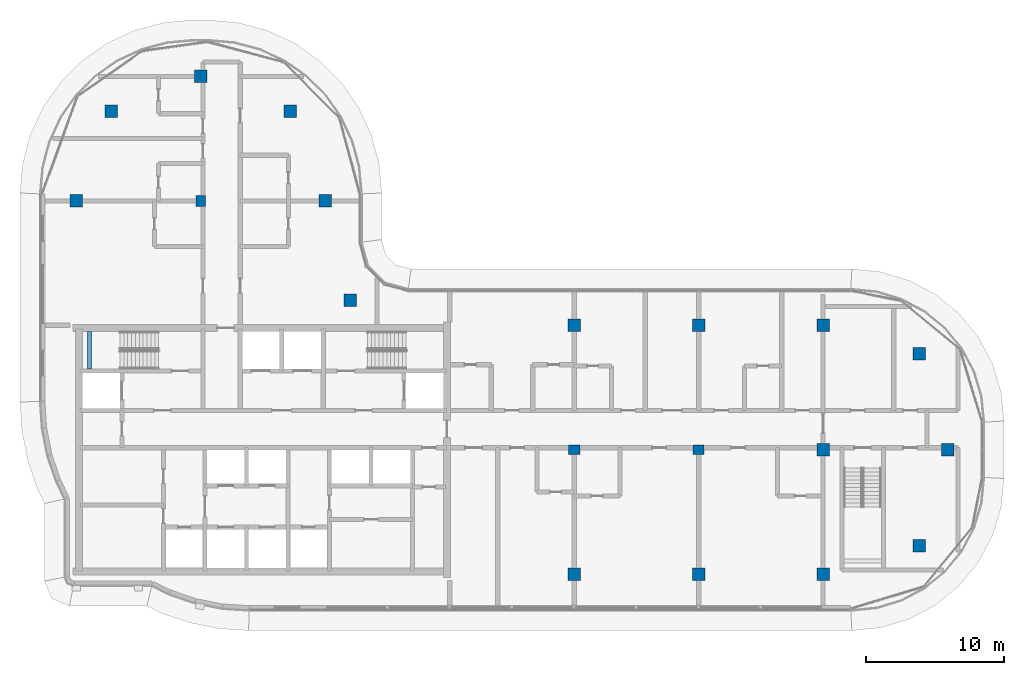
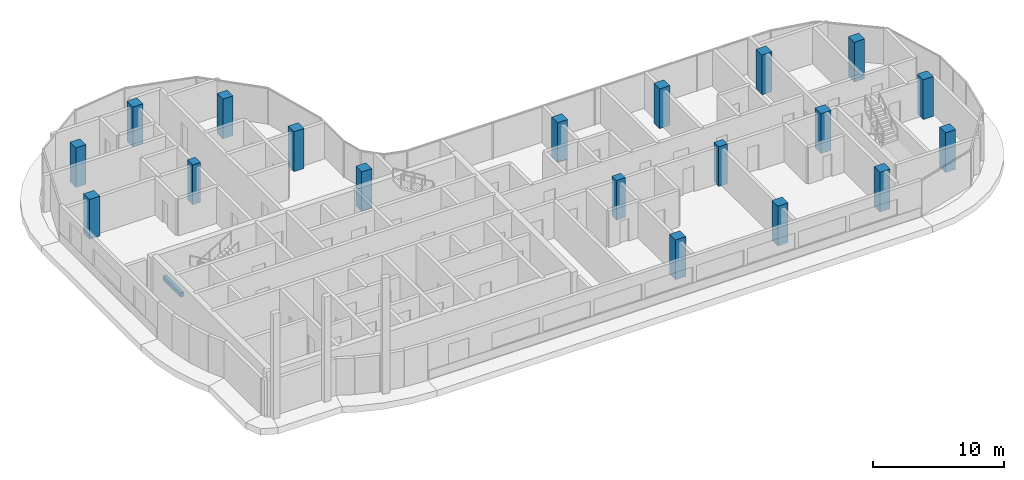
# One storey, part 1 of 20: 19 columns, 1 beam.
"""IFC4 building model written with IfcOpenShell, lengths in metres."""

from ifc_helpers import new_model, si_unit, direction, frame, origin, origin_2d, place, context, subcontext, project, spatial, rectangle, extrude, material, material_profile, profile_set, type_object, element, save


model = new_model("IFC4")

# Units and contexts
model_context = context("Model", 3, precision=1e-05, world=origin(), true_north=direction((0.0, 1.0)))
body_context = subcontext(model_context, "Body", "Model", "MODEL_VIEW")
ifc_project = project(units=[si_unit("LENGTHUNIT", "METRE"), si_unit("AREAUNIT", "SQUARE_METRE"), si_unit("VOLUMEUNIT", "CUBIC_METRE"), si_unit("PLANEANGLEUNIT", "RADIAN"), si_unit("MASSUNIT", "GRAM", prefix="KILO")], contexts=[model_context])

# Site, building, storey
site_placement = place(None, origin())
site = spatial("IfcSite", under=ifc_project, at=site_placement, CompositionType="ELEMENT")
building_placement = place(site_placement, origin())
building = spatial("IfcBuilding", under=site, at=building_placement, Name="Ogive Portal Towers", CompositionType="ELEMENT")
storey_placement = place(building_placement, frame((0.0, 0.0, 232.800048828125)))
storey = spatial("IfcBuildingStorey", under=building, at=storey_placement, Name="L58", CompositionType="ELEMENT", Elevation=232.800048828125)

# Columns
ifc_material_1 = material(Name="Concrete C60/75", Category="concrete")
ifc_material_profile_1 = material_profile(ifc_material_1, rectangle(XDim=0.800048828125, YDim=0.699951171875, at=origin_2d()), Name="RC 800x700")
ifc_profile_set_1 = profile_set([ifc_material_profile_1], Name="Concrete C60/75")
column_type_1 = type_object("IfcColumnType", Name="COLUMN RC 800x700", PredefinedType="COLUMN", material=ifc_profile_set_1)
for number, where, z_axis, x_axis, name in (
    (1, (67.5, 30.5, 0.0), (0.0, 0.0, 1.0), (1.0, 0.0, 0.0), "Column 5/B L58"),
    (2, (76.5, 30.5, 0.0), (0.0, 0.0, 1.0), (1.0, 0.0, 0.0), "Column 6/B L58"),
    (3, (40.5, 48.5, 0.0), (0.0, 0.0, 1.0), (0.0, 1.0, 0.0), "Column 2/D L58"),
):
    element("IfcColumn", number, at=place(storey_placement, frame(where, z_axis=z_axis, x_axis=x_axis)), inside=storey, type_object=column_type_1, Name=name, PredefinedType="COLUMN", context=body_context, shape_type="SweptSolid", body=[
        extrude(rectangle(XDim=0.800048828125, YDim=0.699951171875, at=origin_2d()), origin(), (0.0, 0.0, 1.0), 3.699951171875),
    ])
ifc_material_profile_2 = material_profile(ifc_material_1, rectangle(XDim=0.89990234375, YDim=0.89990234375, at=origin_2d()), Name="RC 900x900")
ifc_profile_set_2 = profile_set([ifc_material_profile_2], Name="Concrete C60/75")
column_type_2 = type_object("IfcColumnType", Name="COLUMN RC 900x900", PredefinedType="COLUMN", material=ifc_profile_set_2)
for number, where, z_axis, x_axis, name in (
    (4, (67.5, 21.5, 0.0), (0.0, 0.0, 1.0), (1.0, 0.0, 0.0), "Column 5/A L58"),
    (5, (76.5, 21.5, 0.0), (0.0, 0.0, 1.0), (1.0, 0.0, 0.0), "Column 6/A L58"),
    (6, (85.5, 21.5, 0.0), (0.0, 0.0, 1.0), (1.0, 0.0, 0.0), "Column 7/A L58"),
    (7, (92.449951171875, 23.550048828125, 0.0), (0.0, 0.0, 1.0), (1.0, 0.0, 0.0), "Column L58"),
    (8, (85.5, 30.5, 0.0), (0.0, 0.0, 1.0), (1.0, 0.0, 0.0), "Column 7/B L58"),
    (9, (94.5, 30.5, 0.0), (0.0, 0.0, 1.0), (1.0, 0.0, 0.0), "Column 8/B L58"),
    (10, (92.449951171875, 37.449951171875, 0.0), (0.0, 0.0, 1.0), (1.0, 0.0, 0.0), "Column L58"),
    (11, (67.5, 39.5, 0.0), (0.0, 0.0, 1.0), (1.0, 0.0, 0.0), "Column 5/C L58"),
    (12, (76.5, 39.5, 0.0), (0.0, 0.0, 1.0), (1.0, 0.0, 0.0), "Column 6/C L58"),
    (13, (85.5, 39.5, 0.0), (0.0, 0.0, 1.0), (1.0, 0.0, 0.0), "Column 7/C L58"),
    (14, (51.31005859375, 41.31005859375, 0.0), (0.0, 0.0, 1.0), (1.0, 0.0, 0.0), "Column L58"),
    (15, (31.5, 48.5, 0.0), (0.0, 0.0, 1.0), (1.0, 0.0, 0.0), "Column 1/D L58"),
    (16, (49.5, 48.5, 0.0), (0.0, 0.0, 1.0), (1.0, 0.0, 0.0), "Column 3/D L58"),
    (17, (34.027099609375, 54.972900390625, 0.0), (0.0, 0.0, 1.0), (1.0, 0.0, 0.0), "Column L58"),
    (18, (46.972900390625, 54.972900390625, 0.0), (0.0, 0.0, 1.0), (1.0, 0.0, 0.0), "Column L58"),
    (19, (40.5, 57.5, 0.0), (0.0, 0.0, 1.0), (1.0, 0.0, 0.0), "Column 2/E L58"),
):
    element("IfcColumn", number, at=place(storey_placement, frame(where, z_axis=z_axis, x_axis=x_axis)), inside=storey, type_object=column_type_2, Name=name, PredefinedType="COLUMN", context=body_context, shape_type="SweptSolid", body=[
        extrude(rectangle(XDim=0.89990234375, YDim=0.89990234375, at=origin_2d()), origin(), (0.0, 0.0, 1.0), 3.699951171875),
    ])

# Beam
ifc_material_2 = material(Name="Concrete C40/50", Category="concrete")
ifc_material_profile_3 = material_profile(ifc_material_2, rectangle(XDim=0.300048828125, YDim=0.39990234375, at=origin_2d()), Name="RC 300x400")
ifc_profile_set_3 = profile_set([ifc_material_profile_3], Name="Concrete C40/50")
beam_type = type_object("IfcBeamType", Name="BEAM RC 300x400", PredefinedType="BEAM", material=ifc_profile_set_3)
beam_placement = place(storey_placement, frame((32.449951171875, 36.35009765625, 1.449951171875), z_axis=(0.0, 1.0, 0.0), x_axis=(-1.0, 0.0, 0.0)))
element("IfcBeam", 20, at=beam_placement, inside=storey, type_object=beam_type, Name="Landing beam L58", PredefinedType="BEAM", context=body_context, shape_type="SweptSolid", body=[
    extrude(rectangle(XDim=0.300048828125, YDim=0.39990234375, at=origin_2d()), origin(), (0.0, 0.0, 1.0), 2.699951171875),
])

save(model, "model.ifc")
